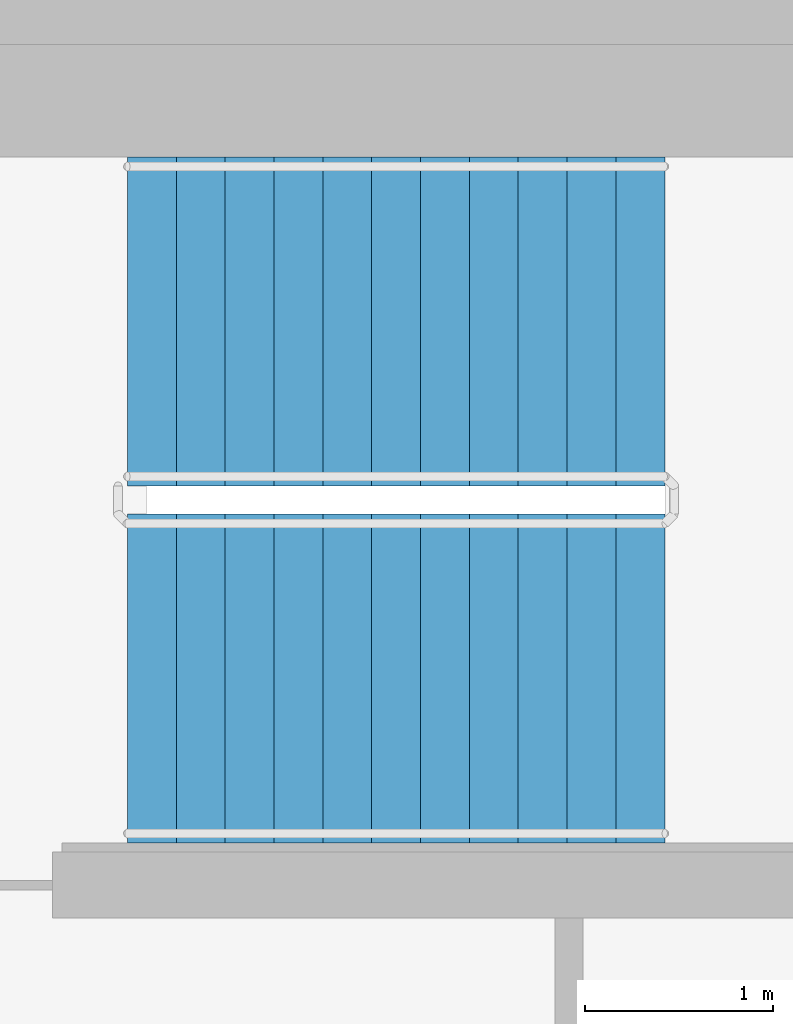
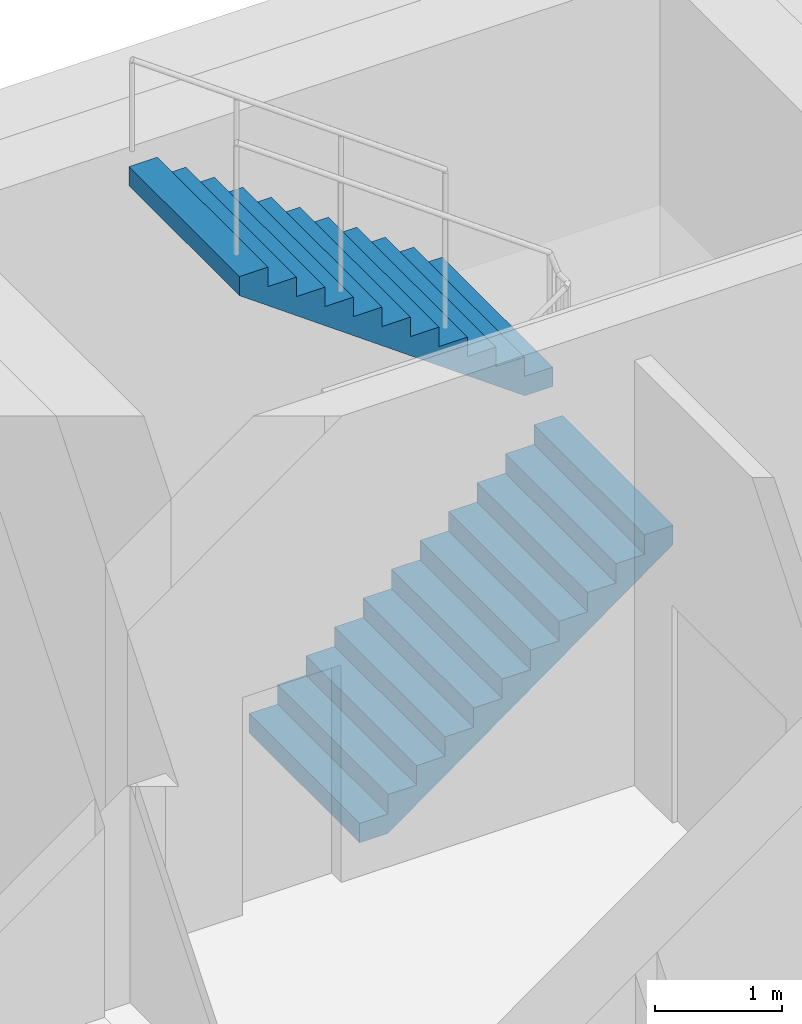
# One storey, part 8 of 11: 2 stair flights, 1 element without a shape of its own.
"""IFC4 building model written with IfcOpenShell, lengths in metres."""

from ifc_helpers import new_model, si_unit, direction, frame, origin, place, context, subcontext, project, spatial, faceted_brep, material, type_object, element, aggregate, save


model = new_model("IFC4")

# Units and contexts
model_context = context("Model", 3, precision=1e-05, world=origin(), true_north=direction((0.0, 1.0)))
body_context = subcontext(model_context, "Body", "Model", "MODEL_VIEW")
ifc_project = project(units=[si_unit("LENGTHUNIT", "METRE"), si_unit("AREAUNIT", "SQUARE_METRE"), si_unit("VOLUMEUNIT", "CUBIC_METRE"), si_unit("PLANEANGLEUNIT", "RADIAN"), si_unit("MASSUNIT", "GRAM", prefix="KILO")], contexts=[model_context])

# Site, building, storey
site_placement = place(None, origin())
site = spatial("IfcSite", under=ifc_project, at=site_placement, CompositionType="ELEMENT")
building_placement = place(site_placement, origin())
building = spatial("IfcBuilding", under=site, at=building_placement, Name="Ipe Terrace Towers", CompositionType="ELEMENT")
storey_placement = place(building_placement, frame((0.0, 0.0, 251.39990234375)))
storey = spatial("IfcBuildingStorey", under=building, at=storey_placement, Name="L69", CompositionType="ELEMENT", Elevation=251.39990234375)

# Stair, stair flights
ifc_material_1 = material(Name="Concrete C30/37", Category="concrete")
stair_type = type_object("IfcStairType", Name="Protected exit stair", PredefinedType="HALF_TURN_STAIR", material=ifc_material_1)
stair_placement = place(storey_placement, origin())
stair = element("IfcStair", 1, at=stair_placement, inside=storey, type_object=stair_type, Name="L69 Exit stair T1-C1", PredefinedType="HALF_TURN_STAIR")
ifc_material_2 = material(Name="Concrete C30/37", Category="concrete")
stair_flight_type = type_object("IfcStairFlightType", Name="Exit stair flight 1750", PredefinedType="STRAIGHT", material=ifc_material_2)
stair_flight_1_placement = place(storey_placement, frame((-26.300048828125, 2.77490234375, 0.0), z_axis=(0.0, 0.0, 1.0), x_axis=(1.0, 0.0, 0.0)))
stair_flight_1 = element("IfcStairFlight", 2, at=stair_flight_1_placement, type_object=stair_flight_type, Name="T1-ST1 flight 1", NumberOfRisers=12, NumberOfTreads=11, PredefinedType="STRAIGHT", RiserHeight=0.1875, TreadLength=0.26, context=body_context, shape_type="Brep", body=[
    faceted_brep([(0.25634765625, -0.875, 0.0), (2.860107421875, -0.875, 1.877685546875), (2.860107421875, -0.875, 2.0625), (2.60009765625, -0.875, 2.0625), (2.60009765625, -0.875, 1.875), (2.340087890625, -0.875, 1.875), (2.340087890625, -0.875, 1.6875), (2.080078125, -0.875, 1.6875), (2.080078125, -0.875, 1.5), (1.820068359375, -0.875, 1.5), (1.820068359375, -0.875, 1.3125), (1.56005859375, -0.875, 1.3125), (1.56005859375, -0.875, 1.125), (1.300048828125, -0.875, 1.125), (1.300048828125, -0.875, 0.9375), (1.0400390625, -0.875, 0.9375), (1.0400390625, -0.875, 0.75), (0.780029296875, -0.875, 0.75), (0.780029296875, -0.875, 0.5625), (0.52001953125, -0.875, 0.5625), (0.52001953125, -0.875, 0.375), (0.260009765625, -0.875, 0.375), (0.260009765625, -0.875, 0.1875), (0.0, -0.875, 0.1875), (0.0, -0.875, 0.0), (0.0, 0.875, 0.0), (0.0, 0.875, 0.1875), (0.260009765625, 0.875, 0.1875), (0.260009765625, 0.875, 0.375), (0.52001953125, 0.875, 0.375), (0.52001953125, 0.875, 0.5625), (0.780029296875, 0.875, 0.5625), (0.780029296875, 0.875, 0.75), (1.0400390625, 0.875, 0.75), (1.0400390625, 0.875, 0.9375), (1.300048828125, 0.875, 0.9375), (1.300048828125, 0.875, 1.125), (1.56005859375, 0.875, 1.125), (1.56005859375, 0.875, 1.3125), (1.820068359375, 0.875, 1.3125), (1.820068359375, 0.875, 1.5), (2.080078125, 0.875, 1.5), (2.080078125, 0.875, 1.6875), (2.340087890625, 0.875, 1.6875), (2.340087890625, 0.875, 1.875), (2.60009765625, 0.875, 1.875), (2.60009765625, 0.875, 2.0625), (2.860107421875, 0.875, 2.0625), (2.860107421875, 0.875, 1.877685546875), (0.25634765625, 0.875, 0.0), (0.0, -0.300048828125, 0.1875), (0.0, -0.1201171875, 0.1875), (0.0, -0.06005859375, 0.1875), (0.0, -0.030029296875, 0.1875), (0.0, -0.010009765625, 0.1875), (0.0, 0.0, 0.1875), (0.0, 0.010009765625, 0.1875), (0.0, 0.030029296875, 0.1875), (0.0, 0.06005859375, 0.1875), (0.0, 0.1201171875, 0.1875), (0.0, 0.300048828125, 0.1875), (0.0, 0.300048828125, 0.0), (0.0, 0.1201171875, 0.0), (0.0, 0.06005859375, 0.0), (0.0, 0.030029296875, 0.0), (0.0, 0.010009765625, 0.0), (0.0, 0.0, 0.0), (0.0, -0.010009765625, 0.0), (0.0, -0.030029296875, 0.0), (0.0, -0.06005859375, 0.0), (0.0, -0.1201171875, 0.0), (0.0, -0.300048828125, 0.0), (0.260009765625, -0.300048828125, 0.1875), (0.260009765625, -0.1201171875, 0.1875), (0.260009765625, -0.06005859375, 0.1875), (0.260009765625, -0.030029296875, 0.1875), (0.260009765625, -0.010009765625, 0.1875), (0.260009765625, 0.0, 0.1875), (0.260009765625, 0.010009765625, 0.1875), (0.260009765625, 0.030029296875, 0.1875), (0.260009765625, 0.06005859375, 0.1875), (0.260009765625, 0.1201171875, 0.1875), (0.260009765625, 0.300048828125, 0.1875), (0.260009765625, -0.300048828125, 0.375), (0.260009765625, -0.1201171875, 0.375), (0.260009765625, -0.06005859375, 0.375), (0.260009765625, -0.030029296875, 0.375), (0.260009765625, -0.010009765625, 0.375), (0.260009765625, 0.0, 0.375), (0.260009765625, 0.010009765625, 0.375), (0.260009765625, 0.030029296875, 0.375), (0.260009765625, 0.06005859375, 0.375), (0.260009765625, 0.1201171875, 0.375), (0.260009765625, 0.300048828125, 0.375), (0.52001953125, -0.300048828125, 0.375), (0.52001953125, -0.1201171875, 0.375), (0.52001953125, -0.06005859375, 0.375), (0.52001953125, -0.030029296875, 0.375), (0.52001953125, -0.010009765625, 0.375), (0.52001953125, 0.0, 0.375), (0.52001953125, 0.010009765625, 0.375), (0.52001953125, 0.030029296875, 0.375), (0.52001953125, 0.06005859375, 0.375), (0.52001953125, 0.1201171875, 0.375), (0.52001953125, 0.300048828125, 0.375), (0.52001953125, -0.300048828125, 0.5625), (0.52001953125, -0.1201171875, 0.5625), (0.52001953125, -0.06005859375, 0.5625), (0.52001953125, -0.030029296875, 0.5625), (0.52001953125, -0.010009765625, 0.5625), (0.52001953125, 0.0, 0.5625), (0.52001953125, 0.010009765625, 0.5625), (0.52001953125, 0.030029296875, 0.5625), (0.52001953125, 0.06005859375, 0.5625), (0.52001953125, 0.1201171875, 0.5625), (0.52001953125, 0.300048828125, 0.5625), (0.780029296875, -0.300048828125, 0.5625), (0.780029296875, -0.1201171875, 0.5625), (0.780029296875, -0.06005859375, 0.5625), (0.780029296875, -0.030029296875, 0.5625), (0.780029296875, -0.010009765625, 0.5625), (0.780029296875, 0.0, 0.5625), (0.780029296875, 0.010009765625, 0.5625), (0.780029296875, 0.030029296875, 0.5625), (0.780029296875, 0.06005859375, 0.5625), (0.780029296875, 0.1201171875, 0.5625), (0.780029296875, 0.300048828125, 0.5625), (0.780029296875, -0.300048828125, 0.75), (0.780029296875, -0.1201171875, 0.75), (0.780029296875, -0.06005859375, 0.75), (0.780029296875, -0.030029296875, 0.75), (0.780029296875, -0.010009765625, 0.75), (0.780029296875, 0.0, 0.75), (0.780029296875, 0.010009765625, 0.75), (0.780029296875, 0.030029296875, 0.75), (0.780029296875, 0.06005859375, 0.75), (0.780029296875, 0.1201171875, 0.75), (0.780029296875, 0.300048828125, 0.75), (1.0400390625, -0.300048828125, 0.75), (1.0400390625, -0.1201171875, 0.75), (1.0400390625, -0.06005859375, 0.75), (1.0400390625, -0.030029296875, 0.75), (1.0400390625, -0.010009765625, 0.75), (1.0400390625, 0.0, 0.75), (1.0400390625, 0.010009765625, 0.75), (1.0400390625, 0.030029296875, 0.75), (1.0400390625, 0.06005859375, 0.75), (1.0400390625, 0.1201171875, 0.75), (1.0400390625, 0.300048828125, 0.75), (1.0400390625, -0.300048828125, 0.9375), (1.0400390625, -0.1201171875, 0.9375), (1.0400390625, -0.06005859375, 0.9375), (1.0400390625, -0.030029296875, 0.9375), (1.0400390625, -0.010009765625, 0.9375), (1.0400390625, 0.0, 0.9375), (1.0400390625, 0.010009765625, 0.9375), (1.0400390625, 0.030029296875, 0.9375), (1.0400390625, 0.06005859375, 0.9375), (1.0400390625, 0.1201171875, 0.9375), (1.0400390625, 0.300048828125, 0.9375), (1.300048828125, -0.300048828125, 0.9375), (1.300048828125, -0.1201171875, 0.9375), (1.300048828125, -0.06005859375, 0.9375), (1.300048828125, -0.030029296875, 0.9375), (1.300048828125, -0.010009765625, 0.9375), (1.300048828125, 0.0, 0.9375), (1.300048828125, 0.010009765625, 0.9375), (1.300048828125, 0.030029296875, 0.9375), (1.300048828125, 0.06005859375, 0.9375), (1.300048828125, 0.1201171875, 0.9375), (1.300048828125, 0.300048828125, 0.9375), (1.300048828125, -0.300048828125, 1.125), (1.300048828125, -0.1201171875, 1.125), (1.300048828125, -0.06005859375, 1.125), (1.300048828125, -0.030029296875, 1.125), (1.300048828125, -0.010009765625, 1.125), (1.300048828125, 0.0, 1.125), (1.300048828125, 0.010009765625, 1.125), (1.300048828125, 0.030029296875, 1.125), (1.300048828125, 0.06005859375, 1.125), (1.300048828125, 0.1201171875, 1.125), (1.300048828125, 0.300048828125, 1.125), (1.56005859375, -0.300048828125, 1.125), (1.56005859375, -0.1201171875, 1.125), (1.56005859375, -0.06005859375, 1.125), (1.56005859375, -0.030029296875, 1.125), (1.56005859375, -0.010009765625, 1.125), (1.56005859375, 0.0, 1.125), (1.56005859375, 0.010009765625, 1.125), (1.56005859375, 0.030029296875, 1.125), (1.56005859375, 0.06005859375, 1.125), (1.56005859375, 0.1201171875, 1.125), (1.56005859375, 0.300048828125, 1.125), (1.56005859375, -0.300048828125, 1.3125), (1.56005859375, -0.1201171875, 1.3125), (1.56005859375, -0.06005859375, 1.3125), (1.56005859375, -0.030029296875, 1.3125), (1.56005859375, -0.010009765625, 1.3125), (1.56005859375, 0.0, 1.3125), (1.56005859375, 0.010009765625, 1.3125), (1.56005859375, 0.030029296875, 1.3125), (1.56005859375, 0.06005859375, 1.3125), (1.56005859375, 0.1201171875, 1.3125), (1.56005859375, 0.300048828125, 1.3125), (1.820068359375, -0.300048828125, 1.3125), (1.820068359375, -0.1201171875, 1.3125), (1.820068359375, -0.06005859375, 1.3125), (1.820068359375, -0.030029296875, 1.3125), (1.820068359375, -0.010009765625, 1.3125), (1.820068359375, 0.0, 1.3125), (1.820068359375, 0.010009765625, 1.3125), (1.820068359375, 0.030029296875, 1.3125), (1.820068359375, 0.06005859375, 1.3125), (1.820068359375, 0.1201171875, 1.3125), (1.820068359375, 0.300048828125, 1.3125), (1.820068359375, -0.300048828125, 1.5), (1.820068359375, -0.1201171875, 1.5), (1.820068359375, -0.06005859375, 1.5), (1.820068359375, -0.030029296875, 1.5), (1.820068359375, -0.010009765625, 1.5), (1.820068359375, 0.0, 1.5), (1.820068359375, 0.010009765625, 1.5), (1.820068359375, 0.030029296875, 1.5), (1.820068359375, 0.06005859375, 1.5), (1.820068359375, 0.1201171875, 1.5), (1.820068359375, 0.300048828125, 1.5), (2.080078125, -0.300048828125, 1.5), (2.080078125, -0.1201171875, 1.5), (2.080078125, -0.06005859375, 1.5), (2.080078125, -0.030029296875, 1.5), (2.080078125, -0.010009765625, 1.5), (2.080078125, 0.0, 1.5), (2.080078125, 0.010009765625, 1.5), (2.080078125, 0.030029296875, 1.5), (2.080078125, 0.06005859375, 1.5), (2.080078125, 0.1201171875, 1.5), (2.080078125, 0.300048828125, 1.5), (2.080078125, -0.300048828125, 1.6875), (2.080078125, -0.1201171875, 1.6875), (2.080078125, -0.06005859375, 1.6875), (2.080078125, -0.030029296875, 1.6875), (2.080078125, -0.010009765625, 1.6875), (2.080078125, 0.0, 1.6875), (2.080078125, 0.010009765625, 1.6875), (2.080078125, 0.030029296875, 1.6875), (2.080078125, 0.06005859375, 1.6875), (2.080078125, 0.1201171875, 1.6875), (2.080078125, 0.300048828125, 1.6875), (2.340087890625, -0.300048828125, 1.6875), (2.340087890625, -0.1201171875, 1.6875), (2.340087890625, -0.06005859375, 1.6875), (2.340087890625, -0.030029296875, 1.6875), (2.340087890625, -0.010009765625, 1.6875), (2.340087890625, 0.0, 1.6875), (2.340087890625, 0.010009765625, 1.6875), (2.340087890625, 0.030029296875, 1.6875), (2.340087890625, 0.06005859375, 1.6875), (2.340087890625, 0.1201171875, 1.6875), (2.340087890625, 0.300048828125, 1.6875), (2.340087890625, -0.300048828125, 1.875), (2.340087890625, -0.1201171875, 1.875), (2.340087890625, -0.06005859375, 1.875), (2.340087890625, -0.030029296875, 1.875), (2.340087890625, -0.010009765625, 1.875), (2.340087890625, 0.0, 1.875), (2.340087890625, 0.010009765625, 1.875), (2.340087890625, 0.030029296875, 1.875), (2.340087890625, 0.06005859375, 1.875), (2.340087890625, 0.1201171875, 1.875), (2.340087890625, 0.300048828125, 1.875), (2.60009765625, -0.300048828125, 1.875), (2.60009765625, -0.1201171875, 1.875), (2.60009765625, -0.06005859375, 1.875), (2.60009765625, -0.030029296875, 1.875), (2.60009765625, -0.010009765625, 1.875), (2.60009765625, 0.0, 1.875), (2.60009765625, 0.010009765625, 1.875), (2.60009765625, 0.030029296875, 1.875), (2.60009765625, 0.06005859375, 1.875), (2.60009765625, 0.1201171875, 1.875), (2.60009765625, 0.300048828125, 1.875), (2.60009765625, -0.300048828125, 2.0625), (2.60009765625, -0.1201171875, 2.0625), (2.60009765625, -0.06005859375, 2.0625), (2.60009765625, -0.030029296875, 2.0625), (2.60009765625, -0.010009765625, 2.0625), (2.60009765625, 0.0, 2.0625), (2.60009765625, 0.010009765625, 2.0625), (2.60009765625, 0.030029296875, 2.0625), (2.60009765625, 0.06005859375, 2.0625), (2.60009765625, 0.1201171875, 2.0625), (2.60009765625, 0.300048828125, 2.0625), (2.860107421875, -0.300048828125, 2.0625), (2.860107421875, -0.1201171875, 2.0625), (2.860107421875, -0.06005859375, 2.0625), (2.860107421875, -0.030029296875, 2.0625), (2.860107421875, -0.010009765625, 2.0625), (2.860107421875, 0.0, 2.0625), (2.860107421875, 0.010009765625, 2.0625), (2.860107421875, 0.030029296875, 2.0625), (2.860107421875, 0.06005859375, 2.0625), (2.860107421875, 0.1201171875, 2.0625), (2.860107421875, 0.300048828125, 2.0625), (2.860107421875, -0.300048828125, 1.877685546875), (2.860107421875, -0.1201171875, 1.877685546875), (2.860107421875, -0.06005859375, 1.877685546875), (2.860107421875, -0.030029296875, 1.877685546875), (2.860107421875, -0.010009765625, 1.877685546875), (2.860107421875, 0.0, 1.877685546875), (2.860107421875, 0.010009765625, 1.877685546875), (2.860107421875, 0.030029296875, 1.877685546875), (2.860107421875, 0.06005859375, 1.877685546875), (2.860107421875, 0.1201171875, 1.877685546875), (2.860107421875, 0.300048828125, 1.877685546875), (0.25634765625, -0.300048828125, 0.0), (0.25634765625, -0.1201171875, 0.0), (0.25634765625, -0.06005859375, 0.0), (0.25634765625, -0.030029296875, 0.0), (0.25634765625, -0.010009765625, 0.0), (0.25634765625, 0.0, 0.0), (0.25634765625, 0.010009765625, 0.0), (0.25634765625, 0.030029296875, 0.0), (0.25634765625, 0.06005859375, 0.0), (0.25634765625, 0.1201171875, 0.0), (0.25634765625, 0.300048828125, 0.0)], [[[0, 1, 2, 3, 4, 5, 6, 7, 8, 9, 10, 11, 12, 13, 14, 15, 16, 17, 18, 19, 20, 21, 22, 23, 24]], [[25, 26, 27, 28, 29, 30, 31, 32, 33, 34, 35, 36, 37, 38, 39, 40, 41, 42, 43, 44, 45, 46, 47, 48, 49]], [[23, 50, 51, 52, 53, 54, 55, 56, 57, 58, 59, 60, 26, 25, 61, 62, 63, 64, 65, 66, 67, 68, 69, 70, 71, 24]], [[22, 72, 73, 74, 75, 76, 77, 78, 79, 80, 81, 82, 27, 26, 60, 59, 58, 57, 56, 55, 54, 53, 52, 51, 50, 23]], [[21, 83, 84, 85, 86, 87, 88, 89, 90, 91, 92, 93, 28, 27, 82, 81, 80, 79, 78, 77, 76, 75, 74, 73, 72, 22]], [[20, 94, 95, 96, 97, 98, 99, 100, 101, 102, 103, 104, 29, 28, 93, 92, 91, 90, 89, 88, 87, 86, 85, 84, 83, 21]], [[19, 105, 106, 107, 108, 109, 110, 111, 112, 113, 114, 115, 30, 29, 104, 103, 102, 101, 100, 99, 98, 97, 96, 95, 94, 20]], [[18, 116, 117, 118, 119, 120, 121, 122, 123, 124, 125, 126, 31, 30, 115, 114, 113, 112, 111, 110, 109, 108, 107, 106, 105, 19]], [[17, 127, 128, 129, 130, 131, 132, 133, 134, 135, 136, 137, 32, 31, 126, 125, 124, 123, 122, 121, 120, 119, 118, 117, 116, 18]], [[16, 138, 139, 140, 141, 142, 143, 144, 145, 146, 147, 148, 33, 32, 137, 136, 135, 134, 133, 132, 131, 130, 129, 128, 127, 17]], [[15, 149, 150, 151, 152, 153, 154, 155, 156, 157, 158, 159, 34, 33, 148, 147, 146, 145, 144, 143, 142, 141, 140, 139, 138, 16]], [[14, 160, 161, 162, 163, 164, 165, 166, 167, 168, 169, 170, 35, 34, 159, 158, 157, 156, 155, 154, 153, 152, 151, 150, 149, 15]], [[13, 171, 172, 173, 174, 175, 176, 177, 178, 179, 180, 181, 36, 35, 170, 169, 168, 167, 166, 165, 164, 163, 162, 161, 160, 14]], [[12, 182, 183, 184, 185, 186, 187, 188, 189, 190, 191, 192, 37, 36, 181, 180, 179, 178, 177, 176, 175, 174, 173, 172, 171, 13]], [[11, 193, 194, 195, 196, 197, 198, 199, 200, 201, 202, 203, 38, 37, 192, 191, 190, 189, 188, 187, 186, 185, 184, 183, 182, 12]], [[10, 204, 205, 206, 207, 208, 209, 210, 211, 212, 213, 214, 39, 38, 203, 202, 201, 200, 199, 198, 197, 196, 195, 194, 193, 11]], [[9, 215, 216, 217, 218, 219, 220, 221, 222, 223, 224, 225, 40, 39, 214, 213, 212, 211, 210, 209, 208, 207, 206, 205, 204, 10]], [[8, 226, 227, 228, 229, 230, 231, 232, 233, 234, 235, 236, 41, 40, 225, 224, 223, 222, 221, 220, 219, 218, 217, 216, 215, 9]], [[7, 237, 238, 239, 240, 241, 242, 243, 244, 245, 246, 247, 42, 41, 236, 235, 234, 233, 232, 231, 230, 229, 228, 227, 226, 8]], [[6, 248, 249, 250, 251, 252, 253, 254, 255, 256, 257, 258, 43, 42, 247, 246, 245, 244, 243, 242, 241, 240, 239, 238, 237, 7]], [[5, 259, 260, 261, 262, 263, 264, 265, 266, 267, 268, 269, 44, 43, 258, 257, 256, 255, 254, 253, 252, 251, 250, 249, 248, 6]], [[4, 270, 271, 272, 273, 274, 275, 276, 277, 278, 279, 280, 45, 44, 269, 268, 267, 266, 265, 264, 263, 262, 261, 260, 259, 5]], [[3, 281, 282, 283, 284, 285, 286, 287, 288, 289, 290, 291, 46, 45, 280, 279, 278, 277, 276, 275, 274, 273, 272, 271, 270, 4]], [[2, 292, 293, 294, 295, 296, 297, 298, 299, 300, 301, 302, 47, 46, 291, 290, 289, 288, 287, 286, 285, 284, 283, 282, 281, 3]], [[1, 303, 304, 305, 306, 307, 308, 309, 310, 311, 312, 313, 48, 47, 302, 301, 300, 299, 298, 297, 296, 295, 294, 293, 292, 2]], [[0, 314, 315, 316, 317, 318, 319, 320, 321, 322, 323, 324, 49, 48, 313, 312, 311, 310, 309, 308, 307, 306, 305, 304, 303, 1]], [[24, 71, 70, 69, 68, 67, 66, 65, 64, 63, 62, 61, 25, 49, 324, 323, 322, 321, 320, 319, 318, 317, 316, 315, 314, 0]]]),
])
stair_flight_2_placement = place(storey_placement, frame((-23.43994140625, 4.675048828125, 2.25), z_axis=(0.0, 0.0, 1.0), x_axis=(-1.0, 0.0, 0.0)))
stair_flight_2 = element("IfcStairFlight", 3, at=stair_flight_2_placement, type_object=stair_flight_type, Name="T1-ST1 flight 2", NumberOfRisers=12, NumberOfTreads=11, PredefinedType="STRAIGHT", RiserHeight=0.1875, TreadLength=0.26, context=body_context, shape_type="Brep", body=[
    faceted_brep([(0.25634765625, -0.875, 0.0), (2.860107421875, -0.875, 1.877685546875), (2.860107421875, -0.875, 2.0625), (2.60009765625, -0.875, 2.0625), (2.60009765625, -0.875, 1.875), (2.340087890625, -0.875, 1.875), (2.340087890625, -0.875, 1.6875), (2.080078125, -0.875, 1.6875), (2.080078125, -0.875, 1.5), (1.820068359375, -0.875, 1.5), (1.820068359375, -0.875, 1.3125), (1.56005859375, -0.875, 1.3125), (1.56005859375, -0.875, 1.125), (1.300048828125, -0.875, 1.125), (1.300048828125, -0.875, 0.9375), (1.0400390625, -0.875, 0.9375), (1.0400390625, -0.875, 0.75), (0.780029296875, -0.875, 0.75), (0.780029296875, -0.875, 0.5625), (0.52001953125, -0.875, 0.5625), (0.52001953125, -0.875, 0.375), (0.260009765625, -0.875, 0.375), (0.260009765625, -0.875, 0.1875), (0.0, -0.875, 0.1875), (0.0, -0.875, 0.0), (0.0, 0.875, 0.0), (0.0, 0.875, 0.1875), (0.260009765625, 0.875, 0.1875), (0.260009765625, 0.875, 0.375), (0.52001953125, 0.875, 0.375), (0.52001953125, 0.875, 0.5625), (0.780029296875, 0.875, 0.5625), (0.780029296875, 0.875, 0.75), (1.0400390625, 0.875, 0.75), (1.0400390625, 0.875, 0.9375), (1.300048828125, 0.875, 0.9375), (1.300048828125, 0.875, 1.125), (1.56005859375, 0.875, 1.125), (1.56005859375, 0.875, 1.3125), (1.820068359375, 0.875, 1.3125), (1.820068359375, 0.875, 1.5), (2.080078125, 0.875, 1.5), (2.080078125, 0.875, 1.6875), (2.340087890625, 0.875, 1.6875), (2.340087890625, 0.875, 1.875), (2.60009765625, 0.875, 1.875), (2.60009765625, 0.875, 2.0625), (2.860107421875, 0.875, 2.0625), (2.860107421875, 0.875, 1.877685546875), (0.25634765625, 0.875, 0.0), (0.0, -0.300048828125, 0.1875), (0.0, -0.1201171875, 0.1875), (0.0, -0.06005859375, 0.1875), (0.0, -0.030029296875, 0.1875), (0.0, -0.010009765625, 0.1875), (0.0, 0.0, 0.1875), (0.0, 0.010009765625, 0.1875), (0.0, 0.030029296875, 0.1875), (0.0, 0.06005859375, 0.1875), (0.0, 0.1201171875, 0.1875), (0.0, 0.300048828125, 0.1875), (0.0, 0.300048828125, 0.0), (0.0, 0.1201171875, 0.0), (0.0, 0.06005859375, 0.0), (0.0, 0.030029296875, 0.0), (0.0, 0.010009765625, 0.0), (0.0, 0.0, 0.0), (0.0, -0.010009765625, 0.0), (0.0, -0.030029296875, 0.0), (0.0, -0.06005859375, 0.0), (0.0, -0.1201171875, 0.0), (0.0, -0.300048828125, 0.0), (0.260009765625, -0.300048828125, 0.1875), (0.260009765625, -0.1201171875, 0.1875), (0.260009765625, -0.06005859375, 0.1875), (0.260009765625, -0.030029296875, 0.1875), (0.260009765625, -0.010009765625, 0.1875), (0.260009765625, 0.0, 0.1875), (0.260009765625, 0.010009765625, 0.1875), (0.260009765625, 0.030029296875, 0.1875), (0.260009765625, 0.06005859375, 0.1875), (0.260009765625, 0.1201171875, 0.1875), (0.260009765625, 0.300048828125, 0.1875), (0.260009765625, -0.300048828125, 0.375), (0.260009765625, -0.1201171875, 0.375), (0.260009765625, -0.06005859375, 0.375), (0.260009765625, -0.030029296875, 0.375), (0.260009765625, -0.010009765625, 0.375), (0.260009765625, 0.0, 0.375), (0.260009765625, 0.010009765625, 0.375), (0.260009765625, 0.030029296875, 0.375), (0.260009765625, 0.06005859375, 0.375), (0.260009765625, 0.1201171875, 0.375), (0.260009765625, 0.300048828125, 0.375), (0.52001953125, -0.300048828125, 0.375), (0.52001953125, -0.1201171875, 0.375), (0.52001953125, -0.06005859375, 0.375), (0.52001953125, -0.030029296875, 0.375), (0.52001953125, -0.010009765625, 0.375), (0.52001953125, 0.0, 0.375), (0.52001953125, 0.010009765625, 0.375), (0.52001953125, 0.030029296875, 0.375), (0.52001953125, 0.06005859375, 0.375), (0.52001953125, 0.1201171875, 0.375), (0.52001953125, 0.300048828125, 0.375), (0.52001953125, -0.300048828125, 0.5625), (0.52001953125, -0.1201171875, 0.5625), (0.52001953125, -0.06005859375, 0.5625), (0.52001953125, -0.030029296875, 0.5625), (0.52001953125, -0.010009765625, 0.5625), (0.52001953125, 0.0, 0.5625), (0.52001953125, 0.010009765625, 0.5625), (0.52001953125, 0.030029296875, 0.5625), (0.52001953125, 0.06005859375, 0.5625), (0.52001953125, 0.1201171875, 0.5625), (0.52001953125, 0.300048828125, 0.5625), (0.780029296875, -0.300048828125, 0.5625), (0.780029296875, -0.1201171875, 0.5625), (0.780029296875, -0.06005859375, 0.5625), (0.780029296875, -0.030029296875, 0.5625), (0.780029296875, -0.010009765625, 0.5625), (0.780029296875, 0.0, 0.5625), (0.780029296875, 0.010009765625, 0.5625), (0.780029296875, 0.030029296875, 0.5625), (0.780029296875, 0.06005859375, 0.5625), (0.780029296875, 0.1201171875, 0.5625), (0.780029296875, 0.300048828125, 0.5625), (0.780029296875, -0.300048828125, 0.75), (0.780029296875, -0.1201171875, 0.75), (0.780029296875, -0.06005859375, 0.75), (0.780029296875, -0.030029296875, 0.75), (0.780029296875, -0.010009765625, 0.75), (0.780029296875, 0.0, 0.75), (0.780029296875, 0.010009765625, 0.75), (0.780029296875, 0.030029296875, 0.75), (0.780029296875, 0.06005859375, 0.75), (0.780029296875, 0.1201171875, 0.75), (0.780029296875, 0.300048828125, 0.75), (1.0400390625, -0.300048828125, 0.75), (1.0400390625, -0.1201171875, 0.75), (1.0400390625, -0.06005859375, 0.75), (1.0400390625, -0.030029296875, 0.75), (1.0400390625, -0.010009765625, 0.75), (1.0400390625, 0.0, 0.75), (1.0400390625, 0.010009765625, 0.75), (1.0400390625, 0.030029296875, 0.75), (1.0400390625, 0.06005859375, 0.75), (1.0400390625, 0.1201171875, 0.75), (1.0400390625, 0.300048828125, 0.75), (1.0400390625, -0.300048828125, 0.9375), (1.0400390625, -0.1201171875, 0.9375), (1.0400390625, -0.06005859375, 0.9375), (1.0400390625, -0.030029296875, 0.9375), (1.0400390625, -0.010009765625, 0.9375), (1.0400390625, 0.0, 0.9375), (1.0400390625, 0.010009765625, 0.9375), (1.0400390625, 0.030029296875, 0.9375), (1.0400390625, 0.06005859375, 0.9375), (1.0400390625, 0.1201171875, 0.9375), (1.0400390625, 0.300048828125, 0.9375), (1.300048828125, -0.300048828125, 0.9375), (1.300048828125, -0.1201171875, 0.9375), (1.300048828125, -0.06005859375, 0.9375), (1.300048828125, -0.030029296875, 0.9375), (1.300048828125, -0.010009765625, 0.9375), (1.300048828125, 0.0, 0.9375), (1.300048828125, 0.010009765625, 0.9375), (1.300048828125, 0.030029296875, 0.9375), (1.300048828125, 0.06005859375, 0.9375), (1.300048828125, 0.1201171875, 0.9375), (1.300048828125, 0.300048828125, 0.9375), (1.300048828125, -0.300048828125, 1.125), (1.300048828125, -0.1201171875, 1.125), (1.300048828125, -0.06005859375, 1.125), (1.300048828125, -0.030029296875, 1.125), (1.300048828125, -0.010009765625, 1.125), (1.300048828125, 0.0, 1.125), (1.300048828125, 0.010009765625, 1.125), (1.300048828125, 0.030029296875, 1.125), (1.300048828125, 0.06005859375, 1.125), (1.300048828125, 0.1201171875, 1.125), (1.300048828125, 0.300048828125, 1.125), (1.56005859375, -0.300048828125, 1.125), (1.56005859375, -0.1201171875, 1.125), (1.56005859375, -0.06005859375, 1.125), (1.56005859375, -0.030029296875, 1.125), (1.56005859375, -0.010009765625, 1.125), (1.56005859375, 0.0, 1.125), (1.56005859375, 0.010009765625, 1.125), (1.56005859375, 0.030029296875, 1.125), (1.56005859375, 0.06005859375, 1.125), (1.56005859375, 0.1201171875, 1.125), (1.56005859375, 0.300048828125, 1.125), (1.56005859375, -0.300048828125, 1.3125), (1.56005859375, -0.1201171875, 1.3125), (1.56005859375, -0.06005859375, 1.3125), (1.56005859375, -0.030029296875, 1.3125), (1.56005859375, -0.010009765625, 1.3125), (1.56005859375, 0.0, 1.3125), (1.56005859375, 0.010009765625, 1.3125), (1.56005859375, 0.030029296875, 1.3125), (1.56005859375, 0.06005859375, 1.3125), (1.56005859375, 0.1201171875, 1.3125), (1.56005859375, 0.300048828125, 1.3125), (1.820068359375, -0.300048828125, 1.3125), (1.820068359375, -0.1201171875, 1.3125), (1.820068359375, -0.06005859375, 1.3125), (1.820068359375, -0.030029296875, 1.3125), (1.820068359375, -0.010009765625, 1.3125), (1.820068359375, 0.0, 1.3125), (1.820068359375, 0.010009765625, 1.3125), (1.820068359375, 0.030029296875, 1.3125), (1.820068359375, 0.06005859375, 1.3125), (1.820068359375, 0.1201171875, 1.3125), (1.820068359375, 0.300048828125, 1.3125), (1.820068359375, -0.300048828125, 1.5), (1.820068359375, -0.1201171875, 1.5), (1.820068359375, -0.06005859375, 1.5), (1.820068359375, -0.030029296875, 1.5), (1.820068359375, -0.010009765625, 1.5), (1.820068359375, 0.0, 1.5), (1.820068359375, 0.010009765625, 1.5), (1.820068359375, 0.030029296875, 1.5), (1.820068359375, 0.06005859375, 1.5), (1.820068359375, 0.1201171875, 1.5), (1.820068359375, 0.300048828125, 1.5), (2.080078125, -0.300048828125, 1.5), (2.080078125, -0.1201171875, 1.5), (2.080078125, -0.06005859375, 1.5), (2.080078125, -0.030029296875, 1.5), (2.080078125, -0.010009765625, 1.5), (2.080078125, 0.0, 1.5), (2.080078125, 0.010009765625, 1.5), (2.080078125, 0.030029296875, 1.5), (2.080078125, 0.06005859375, 1.5), (2.080078125, 0.1201171875, 1.5), (2.080078125, 0.300048828125, 1.5), (2.080078125, -0.300048828125, 1.6875), (2.080078125, -0.1201171875, 1.6875), (2.080078125, -0.06005859375, 1.6875), (2.080078125, -0.030029296875, 1.6875), (2.080078125, -0.010009765625, 1.6875), (2.080078125, 0.0, 1.6875), (2.080078125, 0.010009765625, 1.6875), (2.080078125, 0.030029296875, 1.6875), (2.080078125, 0.06005859375, 1.6875), (2.080078125, 0.1201171875, 1.6875), (2.080078125, 0.300048828125, 1.6875), (2.340087890625, -0.300048828125, 1.6875), (2.340087890625, -0.1201171875, 1.6875), (2.340087890625, -0.06005859375, 1.6875), (2.340087890625, -0.030029296875, 1.6875), (2.340087890625, -0.010009765625, 1.6875), (2.340087890625, 0.0, 1.6875), (2.340087890625, 0.010009765625, 1.6875), (2.340087890625, 0.030029296875, 1.6875), (2.340087890625, 0.06005859375, 1.6875), (2.340087890625, 0.1201171875, 1.6875), (2.340087890625, 0.300048828125, 1.6875), (2.340087890625, -0.300048828125, 1.875), (2.340087890625, -0.1201171875, 1.875), (2.340087890625, -0.06005859375, 1.875), (2.340087890625, -0.030029296875, 1.875), (2.340087890625, -0.010009765625, 1.875), (2.340087890625, 0.0, 1.875), (2.340087890625, 0.010009765625, 1.875), (2.340087890625, 0.030029296875, 1.875), (2.340087890625, 0.06005859375, 1.875), (2.340087890625, 0.1201171875, 1.875), (2.340087890625, 0.300048828125, 1.875), (2.60009765625, -0.300048828125, 1.875), (2.60009765625, -0.1201171875, 1.875), (2.60009765625, -0.06005859375, 1.875), (2.60009765625, -0.030029296875, 1.875), (2.60009765625, -0.010009765625, 1.875), (2.60009765625, 0.0, 1.875), (2.60009765625, 0.010009765625, 1.875), (2.60009765625, 0.030029296875, 1.875), (2.60009765625, 0.06005859375, 1.875), (2.60009765625, 0.1201171875, 1.875), (2.60009765625, 0.300048828125, 1.875), (2.60009765625, -0.300048828125, 2.0625), (2.60009765625, -0.1201171875, 2.0625), (2.60009765625, -0.06005859375, 2.0625), (2.60009765625, -0.030029296875, 2.0625), (2.60009765625, -0.010009765625, 2.0625), (2.60009765625, 0.0, 2.0625), (2.60009765625, 0.010009765625, 2.0625), (2.60009765625, 0.030029296875, 2.0625), (2.60009765625, 0.06005859375, 2.0625), (2.60009765625, 0.1201171875, 2.0625), (2.60009765625, 0.300048828125, 2.0625), (2.860107421875, -0.300048828125, 2.0625), (2.860107421875, -0.1201171875, 2.0625), (2.860107421875, -0.06005859375, 2.0625), (2.860107421875, -0.030029296875, 2.0625), (2.860107421875, -0.010009765625, 2.0625), (2.860107421875, 0.0, 2.0625), (2.860107421875, 0.010009765625, 2.0625), (2.860107421875, 0.030029296875, 2.0625), (2.860107421875, 0.06005859375, 2.0625), (2.860107421875, 0.1201171875, 2.0625), (2.860107421875, 0.300048828125, 2.0625), (2.860107421875, -0.300048828125, 1.877685546875), (2.860107421875, -0.1201171875, 1.877685546875), (2.860107421875, -0.06005859375, 1.877685546875), (2.860107421875, -0.030029296875, 1.877685546875), (2.860107421875, -0.010009765625, 1.877685546875), (2.860107421875, 0.0, 1.877685546875), (2.860107421875, 0.010009765625, 1.877685546875), (2.860107421875, 0.030029296875, 1.877685546875), (2.860107421875, 0.06005859375, 1.877685546875), (2.860107421875, 0.1201171875, 1.877685546875), (2.860107421875, 0.300048828125, 1.877685546875), (0.25634765625, -0.300048828125, 0.0), (0.25634765625, -0.1201171875, 0.0), (0.25634765625, -0.06005859375, 0.0), (0.25634765625, -0.030029296875, 0.0), (0.25634765625, -0.010009765625, 0.0), (0.25634765625, 0.0, 0.0), (0.25634765625, 0.010009765625, 0.0), (0.25634765625, 0.030029296875, 0.0), (0.25634765625, 0.06005859375, 0.0), (0.25634765625, 0.1201171875, 0.0), (0.25634765625, 0.300048828125, 0.0)], [[[0, 1, 2, 3, 4, 5, 6, 7, 8, 9, 10, 11, 12, 13, 14, 15, 16, 17, 18, 19, 20, 21, 22, 23, 24]], [[25, 26, 27, 28, 29, 30, 31, 32, 33, 34, 35, 36, 37, 38, 39, 40, 41, 42, 43, 44, 45, 46, 47, 48, 49]], [[23, 50, 51, 52, 53, 54, 55, 56, 57, 58, 59, 60, 26, 25, 61, 62, 63, 64, 65, 66, 67, 68, 69, 70, 71, 24]], [[22, 72, 73, 74, 75, 76, 77, 78, 79, 80, 81, 82, 27, 26, 60, 59, 58, 57, 56, 55, 54, 53, 52, 51, 50, 23]], [[21, 83, 84, 85, 86, 87, 88, 89, 90, 91, 92, 93, 28, 27, 82, 81, 80, 79, 78, 77, 76, 75, 74, 73, 72, 22]], [[20, 94, 95, 96, 97, 98, 99, 100, 101, 102, 103, 104, 29, 28, 93, 92, 91, 90, 89, 88, 87, 86, 85, 84, 83, 21]], [[19, 105, 106, 107, 108, 109, 110, 111, 112, 113, 114, 115, 30, 29, 104, 103, 102, 101, 100, 99, 98, 97, 96, 95, 94, 20]], [[18, 116, 117, 118, 119, 120, 121, 122, 123, 124, 125, 126, 31, 30, 115, 114, 113, 112, 111, 110, 109, 108, 107, 106, 105, 19]], [[17, 127, 128, 129, 130, 131, 132, 133, 134, 135, 136, 137, 32, 31, 126, 125, 124, 123, 122, 121, 120, 119, 118, 117, 116, 18]], [[16, 138, 139, 140, 141, 142, 143, 144, 145, 146, 147, 148, 33, 32, 137, 136, 135, 134, 133, 132, 131, 130, 129, 128, 127, 17]], [[15, 149, 150, 151, 152, 153, 154, 155, 156, 157, 158, 159, 34, 33, 148, 147, 146, 145, 144, 143, 142, 141, 140, 139, 138, 16]], [[14, 160, 161, 162, 163, 164, 165, 166, 167, 168, 169, 170, 35, 34, 159, 158, 157, 156, 155, 154, 153, 152, 151, 150, 149, 15]], [[13, 171, 172, 173, 174, 175, 176, 177, 178, 179, 180, 181, 36, 35, 170, 169, 168, 167, 166, 165, 164, 163, 162, 161, 160, 14]], [[12, 182, 183, 184, 185, 186, 187, 188, 189, 190, 191, 192, 37, 36, 181, 180, 179, 178, 177, 176, 175, 174, 173, 172, 171, 13]], [[11, 193, 194, 195, 196, 197, 198, 199, 200, 201, 202, 203, 38, 37, 192, 191, 190, 189, 188, 187, 186, 185, 184, 183, 182, 12]], [[10, 204, 205, 206, 207, 208, 209, 210, 211, 212, 213, 214, 39, 38, 203, 202, 201, 200, 199, 198, 197, 196, 195, 194, 193, 11]], [[9, 215, 216, 217, 218, 219, 220, 221, 222, 223, 224, 225, 40, 39, 214, 213, 212, 211, 210, 209, 208, 207, 206, 205, 204, 10]], [[8, 226, 227, 228, 229, 230, 231, 232, 233, 234, 235, 236, 41, 40, 225, 224, 223, 222, 221, 220, 219, 218, 217, 216, 215, 9]], [[7, 237, 238, 239, 240, 241, 242, 243, 244, 245, 246, 247, 42, 41, 236, 235, 234, 233, 232, 231, 230, 229, 228, 227, 226, 8]], [[6, 248, 249, 250, 251, 252, 253, 254, 255, 256, 257, 258, 43, 42, 247, 246, 245, 244, 243, 242, 241, 240, 239, 238, 237, 7]], [[5, 259, 260, 261, 262, 263, 264, 265, 266, 267, 268, 269, 44, 43, 258, 257, 256, 255, 254, 253, 252, 251, 250, 249, 248, 6]], [[4, 270, 271, 272, 273, 274, 275, 276, 277, 278, 279, 280, 45, 44, 269, 268, 267, 266, 265, 264, 263, 262, 261, 260, 259, 5]], [[3, 281, 282, 283, 284, 285, 286, 287, 288, 289, 290, 291, 46, 45, 280, 279, 278, 277, 276, 275, 274, 273, 272, 271, 270, 4]], [[2, 292, 293, 294, 295, 296, 297, 298, 299, 300, 301, 302, 47, 46, 291, 290, 289, 288, 287, 286, 285, 284, 283, 282, 281, 3]], [[1, 303, 304, 305, 306, 307, 308, 309, 310, 311, 312, 313, 48, 47, 302, 301, 300, 299, 298, 297, 296, 295, 294, 293, 292, 2]], [[0, 314, 315, 316, 317, 318, 319, 320, 321, 322, 323, 324, 49, 48, 313, 312, 311, 310, 309, 308, 307, 306, 305, 304, 303, 1]], [[24, 71, 70, 69, 68, 67, 66, 65, 64, 63, 62, 61, 25, 49, 324, 323, 322, 321, 320, 319, 318, 317, 316, 315, 314, 0]]]),
])
aggregate(stair, [stair_flight_1, stair_flight_2])

save(model, "model.ifc")
